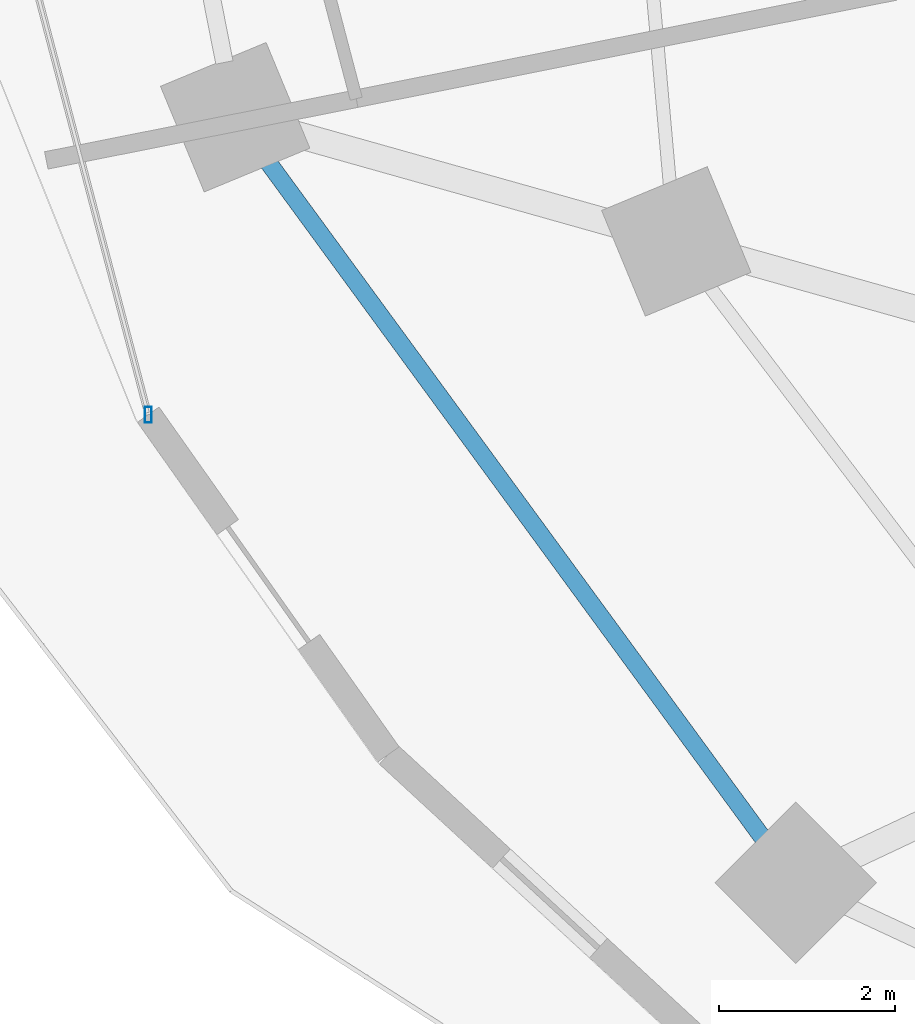
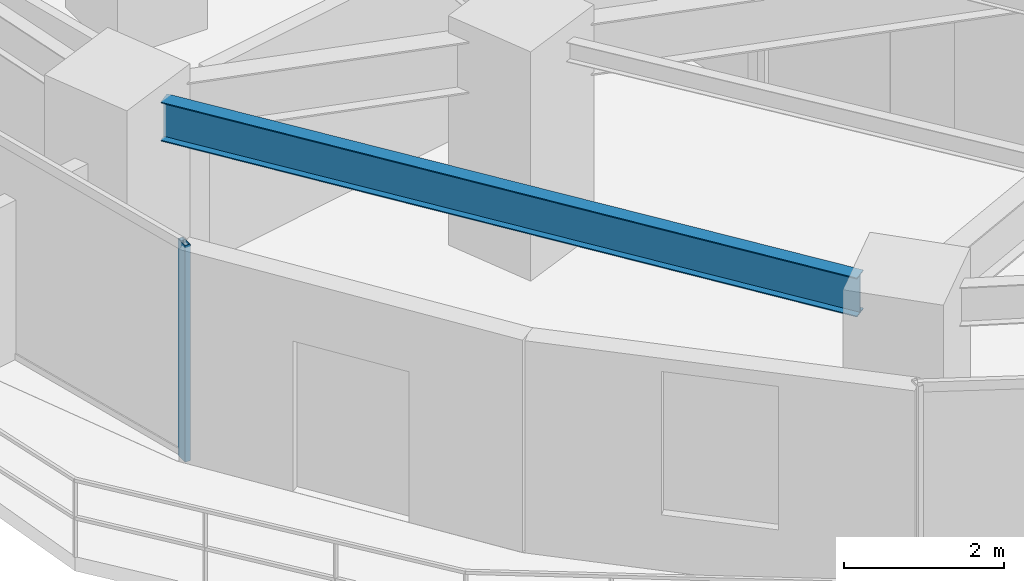
# One storey, part 3 of 30: 1 beam, 1 member, 1 element without a shape of its own.
"""IFC4 building model written with IfcOpenShell, lengths in metres."""

from ifc_helpers import new_model, si_unit, direction, frame, origin, origin_2d, place, context, subcontext, project, spatial, hollow_rectangle, i_section, extrude, material, material_profile, profile_set, type_object, element, aggregate, save


model = new_model("IFC4")

# Units and contexts
model_context = context("Model", 3, precision=1e-05, world=origin(), true_north=direction((0.0, 1.0)))
body_context = subcontext(model_context, "Body", "Model", "MODEL_VIEW")
ifc_project = project(units=[si_unit("LENGTHUNIT", "METRE"), si_unit("AREAUNIT", "SQUARE_METRE"), si_unit("VOLUMEUNIT", "CUBIC_METRE"), si_unit("PLANEANGLEUNIT", "RADIAN"), si_unit("MASSUNIT", "GRAM", prefix="KILO")], contexts=[model_context])

# Site, building, storey
site_placement = place(None, origin())
site = spatial("IfcSite", under=ifc_project, at=site_placement, CompositionType="ELEMENT")
building_placement = place(site_placement, origin())
building = spatial("IfcBuilding", under=site, at=building_placement, Name="Vorneva Point Tower", CompositionType="ELEMENT")
storey_placement = place(building_placement, frame((0.0, 0.0, 41.5)))
storey = spatial("IfcBuildingStorey", under=building, at=storey_placement, Name="L10", CompositionType="ELEMENT", Elevation=41.5)

# Beam
ifc_material_1 = material(Name="Steel S355", Category="steel")
ifc_material_profile_1 = material_profile(ifc_material_1, i_section(OverallWidth=0.198974609375, OverallDepth=0.595947265625, WebThickness=0.010009765625, FlangeThickness=0.014892578125, at=origin_2d()), Name="60B1")
ifc_profile_set_1 = profile_set([ifc_material_profile_1], Name="Steel S355")
beam_type = type_object("IfcBeamType", Name="BM-SPN-60B1", PredefinedType="SPANDREL", material=ifc_profile_set_1)
beam_placement = place(storey_placement, frame((12.063232421875, 20.317138671875, 2.94189453125), z_axis=(0.59073079975, -0.806868714369, 0.0), x_axis=(0.806868714369, 0.59073079975, 0.0)))
element("IfcBeam", 1, at=beam_placement, inside=storey, type_object=beam_type, Name="L10 Perimeter Spandrel Ring Beam 10", PredefinedType="SPANDREL", context=body_context, shape_type="SweptSolid", body=[
    extrude(i_section(OverallWidth=0.198974609375, OverallDepth=0.595947265625, WebThickness=0.010009765625, FlangeThickness=0.014892578125, at=origin_2d()), origin(), (0.0, 0.0, 1.0), 9.518798828125),
])

# Curtain wall, member
ifc_material_2 = material(Name="Pale anodised aluminium", Category="aluminium")
curtain_wall_type = type_object("IfcCurtainWallType", Name="CW-HTL-SYS", PredefinedType="NOTDEFINED", material=ifc_material_2)
curtain_wall_placement = place(storey_placement, origin())
curtain_wall = element("IfcCurtainWall", 2, at=curtain_wall_placement, inside=storey, type_object=curtain_wall_type, Name="L10 Unitised Curtain Wall CW-L10-R03", PredefinedType="NOTDEFINED")
ifc_material_profile_2 = material_profile(ifc_material_2, hollow_rectangle(XDim=0.074951171875, YDim=0.179931640625, WallThickness=0.00390625, at=origin_2d()), Name="AL-MUL 180x75x4")
ifc_profile_set_2 = profile_set([ifc_material_profile_2], Name="Pale anodised aluminium")
member_type = type_object("IfcMemberType", Name="CW-MUL-180", PredefinedType="MULLION", material=ifc_profile_set_2)
member_placement = place(storey_placement, frame((10.699462890625, 17.447021484375, -0.0400390625), z_axis=(0.0, 0.0, 1.0), x_axis=(1.0, 0.0, 0.0)))
member = element("IfcMember", 3, at=member_placement, type_object=member_type, Name="CW-L10-R03 Mullion 04", PredefinedType="MULLION", context=body_context, shape_type="SweptSolid", body=[
    extrude(hollow_rectangle(XDim=0.074951171875, YDim=0.179931640625, WallThickness=0.00390625, at=origin_2d()), origin(), (0.0, 0.0, 1.0), 3.31005859375),
])
aggregate(curtain_wall, [member])

save(model, "model.ifc")
